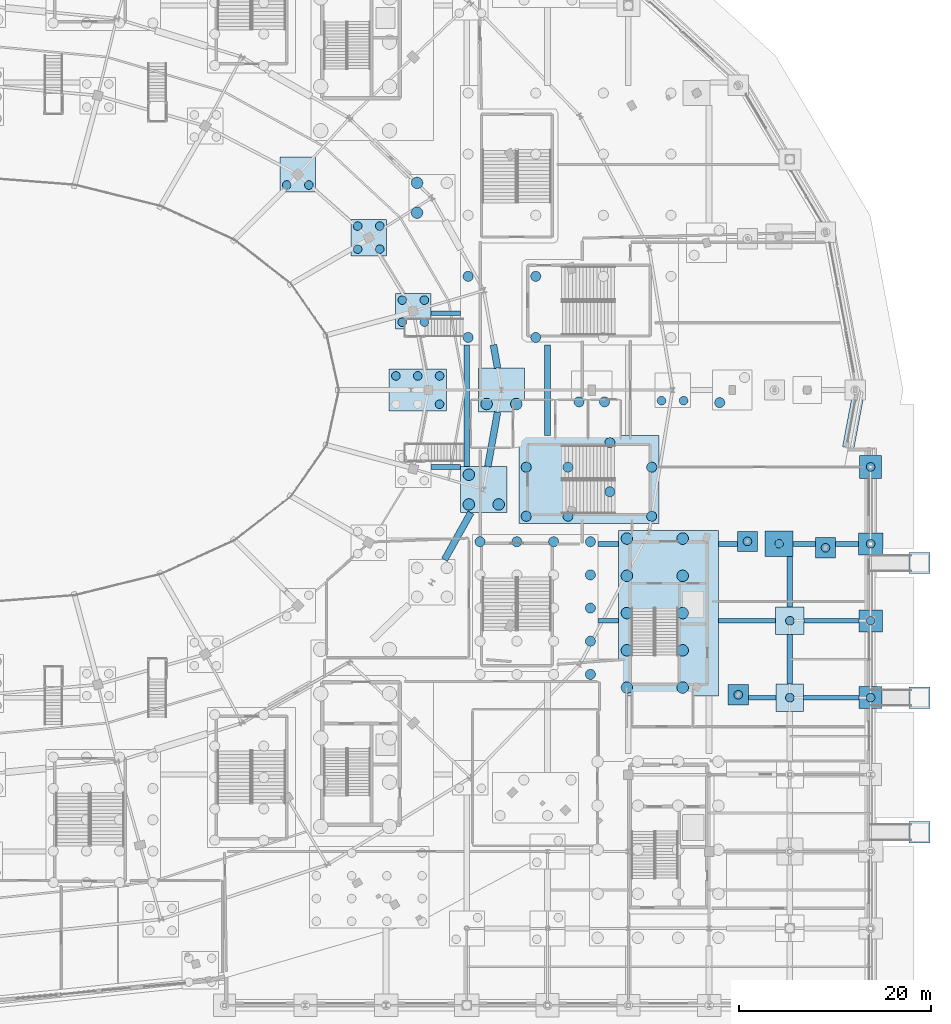
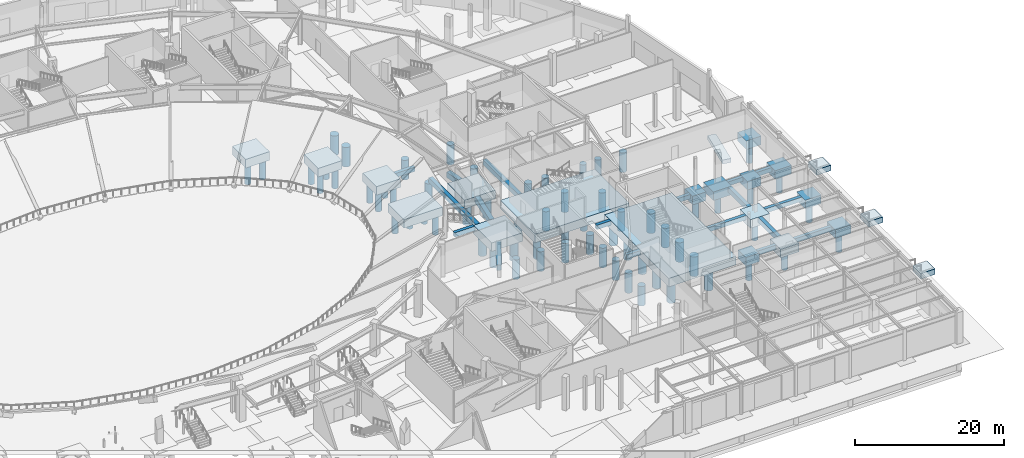
# One storey, part 7 of 93: 66 piles, 40 footings.
"""IFC4 building model written with IfcOpenShell, lengths in metres."""

from ifc_helpers import new_model, si_unit, direction, frame, origin, origin_2d, place, context, subcontext, project, spatial, polyline, rectangle, circle, outline, extrude, material, material_profile, profile_set, type_object, element, save


model = new_model("IFC4")

# Units and contexts
model_context = context("Model", 3, precision=1e-05, world=origin(), true_north=direction((0.0, 1.0)))
body_context = subcontext(model_context, "Body", "Model", "MODEL_VIEW")
ifc_project = project(units=[si_unit("LENGTHUNIT", "METRE"), si_unit("AREAUNIT", "SQUARE_METRE"), si_unit("VOLUMEUNIT", "CUBIC_METRE"), si_unit("PLANEANGLEUNIT", "RADIAN"), si_unit("MASSUNIT", "GRAM", prefix="KILO")], contexts=[model_context])

# Site, building, storey
site_placement = place(None, origin())
site = spatial("IfcSite", under=ifc_project, at=site_placement, CompositionType="ELEMENT")
building_placement = place(site_placement, origin())
building = spatial("IfcBuilding", under=site, at=building_placement, Name="Kalgoora Escarpment Arena", CompositionType="ELEMENT")
storey_placement = place(building_placement, origin())
storey = spatial("IfcBuildingStorey", under=building, at=storey_placement, Name="L00", CompositionType="ELEMENT", Elevation=0.0)

# Footings
ifc_material_1 = material(Name="Concrete N40 (fc' 40 MPa)", Category="concrete")
ifc_material_profile_1 = material_profile(ifc_material_1, rectangle(XDim=0.5, YDim=0.699951171875, at=origin_2d()))
ifc_profile_set_1 = profile_set([ifc_material_profile_1], Name="Concrete N40 (fc' 40 MPa)")
footing_type_1 = type_object("IfcFootingType", Name="FTG-GB700x500", PredefinedType="FOOTING_BEAM", material=ifc_profile_set_1)
footing_1_placement = place(storey_placement, frame((172.090087890625, 32.0, -0.35009765625), z_axis=(1.0, 0.0, 0.0), x_axis=(0.0, 1.0, 0.0)))
element("IfcFooting", 1, at=footing_1_placement, inside=storey, type_object=footing_type_1, Name="Ground tie beam GB-088", PredefinedType="FOOTING_BEAM", context=body_context, shape_type="SweptSolid", body=[
    extrude(rectangle(XDim=0.5, YDim=0.699951171875, at=origin_2d()), origin(), (0.0, 0.0, 1.0), 2.869873046875),
])
footing_2_placement = place(storey_placement, frame((177.840087890625, 32.0, -0.35009765625), z_axis=(1.0, 0.0, 0.0), x_axis=(0.0, 1.0, 0.0)))
element("IfcFooting", 2, at=footing_2_placement, inside=storey, type_object=footing_type_1, Name="Ground tie beam GB-089", PredefinedType="FOOTING_BEAM", context=body_context, shape_type="SweptSolid", body=[
    extrude(rectangle(XDim=0.5, YDim=0.699951171875, at=origin_2d()), origin(), (0.0, 0.0, 1.0), 5.77001953125),
])
footing_3_placement = place(storey_placement, frame((156.429931640625, 40.0, -0.35009765625), z_axis=(1.0, 0.0, 0.0), x_axis=(0.0, 1.0, 0.0)))
element("IfcFooting", 3, at=footing_3_placement, inside=storey, type_object=footing_type_1, Name="Ground tie beam GB-091", PredefinedType="FOOTING_BEAM", context=body_context, shape_type="SweptSolid", body=[
    extrude(rectangle(XDim=0.5, YDim=0.699951171875, at=origin_2d()), origin(), (0.0, 0.0, 1.0), 2.170166015625),
])
footing_4_placement = place(storey_placement, frame((169.0, 40.0, -0.35009765625), z_axis=(1.0, 0.0, 0.0), x_axis=(0.0, 1.0, 0.0)))
element("IfcFooting", 4, at=footing_4_placement, inside=storey, type_object=footing_type_1, Name="Ground tie beam GB-092", PredefinedType="FOOTING_BEAM", context=body_context, shape_type="SweptSolid", body=[
    extrude(rectangle(XDim=0.5, YDim=0.699951171875, at=origin_2d()), origin(), (0.0, 0.0, 1.0), 5.919921875),
])
footing_5_placement = place(storey_placement, frame((177.8798828125, 40.0, -0.35009765625), z_axis=(1.0, 0.0, 0.0), x_axis=(0.0, 1.0, 0.0)))
element("IfcFooting", 5, at=footing_5_placement, inside=storey, type_object=footing_type_1, Name="Ground tie beam GB-093", PredefinedType="FOOTING_BEAM", context=body_context, shape_type="SweptSolid", body=[
    extrude(rectangle(XDim=0.5, YDim=0.699951171875, at=origin_2d()), origin(), (0.0, 0.0, 1.0), 5.690185546875),
])
footing_6_placement = place(storey_placement, frame((156.429931640625, 48.0, -0.35009765625), z_axis=(1.0, 0.0, 0.0), x_axis=(0.0, 1.0, 0.0)))
element("IfcFooting", 6, at=footing_6_placement, inside=storey, type_object=footing_type_1, Name="Ground tie beam GB-095", PredefinedType="FOOTING_BEAM", context=body_context, shape_type="SweptSolid", body=[
    extrude(rectangle(XDim=0.5, YDim=0.699951171875, at=origin_2d()), origin(), (0.0, 0.0, 1.0), 2.170166015625),
])
footing_7_placement = place(storey_placement, frame((169.0, 48.0, -0.35009765625), z_axis=(1.0, 0.0, 0.0), x_axis=(0.0, 1.0, 0.0)))
element("IfcFooting", 7, at=footing_7_placement, inside=storey, type_object=footing_type_1, Name="Ground tie beam GB-096", PredefinedType="FOOTING_BEAM", context=body_context, shape_type="SweptSolid", body=[
    extrude(rectangle(XDim=0.5, YDim=0.699951171875, at=origin_2d()), origin(), (0.0, 0.0, 1.0), 1.93994140625),
])
footing_8_placement = place(storey_placement, frame((176.719970703125, 48.0, -0.35009765625), z_axis=(1.0, 0.0, 0.0), x_axis=(0.0, 1.0, 0.0)))
element("IfcFooting", 8, at=footing_8_placement, inside=storey, type_object=footing_type_1, Name="Ground tie beam GB-097", PredefinedType="FOOTING_BEAM", context=body_context, shape_type="SweptSolid", body=[
    extrude(rectangle(XDim=0.5, YDim=0.699951171875, at=origin_2d()), origin(), (0.0, 0.0, 1.0), 2.340087890625),
])
footing_9_placement = place(storey_placement, frame((181.159912109375, 48.0, -0.35009765625), z_axis=(1.0, 0.0, 0.0), x_axis=(0.0, 1.0, 0.0)))
element("IfcFooting", 9, at=footing_9_placement, inside=storey, type_object=footing_type_1, Name="Ground tie beam GB-098", PredefinedType="FOOTING_BEAM", context=body_context, shape_type="SweptSolid", body=[
    extrude(rectangle(XDim=0.5, YDim=0.699951171875, at=origin_2d()), origin(), (0.0, 0.0, 1.0), 2.3701171875),
])
for number, where, z_axis, x_axis, name in (
    (10, (139.080078125, 56.0, -0.35009765625), (1.0, 0.0, 0.0), (0.0, 1.0, 0.0), "Ground tie beam GB-101"),
    (11, (139.080078125, 72.0, -0.35009765625), (1.0, 0.0, 0.0), (0.0, 1.0, 0.0), "Ground tie beam GB-106"),
):
    element("IfcFooting", number, at=place(storey_placement, frame(where, z_axis=z_axis, x_axis=x_axis)), inside=storey, type_object=footing_type_1, Name=name, PredefinedType="FOOTING_BEAM", context=body_context, shape_type="SweptSolid", body=[
        extrude(rectangle(XDim=0.5, YDim=0.699951171875, at=origin_2d()), origin(), (0.0, 0.0, 1.0), 3.079833984375),
    ])
ifc_material_2 = material(Name="Concrete N40 (fc' 40 MPa)", Category="concrete")
ifc_material_profile_2 = material_profile(ifc_material_2, rectangle(XDim=0.60009765625, YDim=0.800048828125, at=origin_2d()))
ifc_profile_set_2 = profile_set([ifc_material_profile_2], Name="Concrete N40 (fc' 40 MPa)")
footing_type_2 = type_object("IfcFootingType", Name="FTG-GB800x600", PredefinedType="FOOTING_BEAM", material=ifc_profile_set_2)
footing_10_placement = place(storey_placement, frame((142.800048828125, 56.050048828125, -0.39990234375), z_axis=(0.0, 1.0, 0.0), x_axis=(-1.0, 0.0, 0.0)))
element("IfcFooting", 12, at=footing_10_placement, inside=storey, type_object=footing_type_2, Name="Ground tie beam GB-047", PredefinedType="FOOTING_BEAM", context=body_context, shape_type="SweptSolid", body=[
    extrude(rectangle(XDim=0.60009765625, YDim=0.800048828125, at=origin_2d()), origin(), (0.0, 0.0, 1.0), 12.64990234375),
])
footing_11_placement = place(storey_placement, frame((151.199951171875, 59.300048828125, -0.39990234375), z_axis=(0.0, 1.0, 0.0), x_axis=(-1.0, 0.0, 0.0)))
element("IfcFooting", 13, at=footing_11_placement, inside=storey, type_object=footing_type_2, Name="Ground tie beam GB-052", PredefinedType="FOOTING_BEAM", context=body_context, shape_type="SweptSolid", body=[
    extrude(rectangle(XDim=0.60009765625, YDim=0.800048828125, at=origin_2d()), origin(), (0.0, 0.0, 1.0), 9.39990234375),
])
footing_12_placement = place(storey_placement, frame((176.39990234375, 33.409912109375, -0.39990234375), z_axis=(0.0, 1.0, 0.0), x_axis=(-1.0, 0.0, 0.0)))
element("IfcFooting", 14, at=footing_12_placement, inside=storey, type_object=footing_type_2, Name="Ground tie beam GB-066", PredefinedType="FOOTING_BEAM", context=body_context, shape_type="SweptSolid", body=[
    extrude(rectangle(XDim=0.60009765625, YDim=0.800048828125, at=origin_2d()), origin(), (0.0, 0.0, 1.0), 5.18017578125),
])
footing_13_placement = place(storey_placement, frame((176.39990234375, 41.409912109375, -0.39990234375), z_axis=(0.0, 1.0, 0.0), x_axis=(-1.0, 0.0, 0.0)))
element("IfcFooting", 15, at=footing_13_placement, inside=storey, type_object=footing_type_2, Name="Ground tie beam GB-067", PredefinedType="FOOTING_BEAM", context=body_context, shape_type="SweptSolid", body=[
    extrude(rectangle(XDim=0.60009765625, YDim=0.800048828125, at=origin_2d()), origin(), (0.0, 0.0, 1.0), 5.27001953125),
])
ifc_material_3 = material(Name="Concrete N40 (fc' 40 MPa)", Category="concrete")
ifc_material_profile_3 = material_profile(ifc_material_3, rectangle(XDim=0.699951171875, YDim=0.89990234375, at=origin_2d()))
ifc_profile_set_3 = profile_set([ifc_material_profile_3], Name="Concrete N40 (fc' 40 MPa)")
footing_type_3 = type_object("IfcFootingType", Name="FTG-GB900x700", PredefinedType="FOOTING_BEAM", material=ifc_profile_set_3)
footing_14_placement = place(storey_placement, frame((145.9912109375, 66.300048828125, -0.449951171875), z_axis=(-0.174979394809, 0.984572095579, 0.0), x_axis=(-0.984572095579, -0.174979394809, 0.0)))
element("IfcFooting", 16, at=footing_14_placement, inside=storey, type_object=footing_type_3, Name="Ground tie beam GB-001", PredefinedType="FOOTING_BEAM", context=body_context, shape_type="SweptSolid", body=[
    extrude(rectangle(XDim=0.699951171875, YDim=0.89990234375, at=origin_2d()), origin(), (0.0, 0.0, 1.0), 2.4375),
])
footing_15_placement = place(storey_placement, frame((140.4794921875, 46.35009765625, -0.449951171875), z_axis=(0.488066958691, 0.872806189159, 0.0), x_axis=(-0.872806189159, 0.488066958691, 0.0)))
element("IfcFooting", 17, at=footing_15_placement, inside=storey, type_object=footing_type_3, Name="Ground tie beam GB-021", PredefinedType="FOOTING_BEAM", context=body_context, shape_type="SweptSolid", body=[
    extrude(rectangle(XDim=0.699951171875, YDim=0.89990234375, at=origin_2d()), origin(), (0.0, 0.0, 1.0), 5.614013671875),
])
footing_16_placement = place(storey_placement, frame((144.987060546875, 56.050048828125, -0.449951171875), z_axis=(0.174986594347, 0.984570816041, 0.0), x_axis=(-0.984570816041, 0.174986594347, 0.0)))
element("IfcFooting", 18, at=footing_16_placement, inside=storey, type_object=footing_type_3, Name="Ground tie beam GB-022", PredefinedType="FOOTING_BEAM", context=body_context, shape_type="SweptSolid", body=[
    extrude(rectangle(XDim=0.699951171875, YDim=0.89990234375, at=origin_2d()), origin(), (0.0, 0.0, 1.0), 5.738525390625),
])
ifc_material_4 = material(Name="Concrete N40 (fc' 40 MPa)", Category="concrete")
footing_type_4 = type_object("IfcFootingType", Name="FTG-PC-1040x1720", PredefinedType="PILE_CAP", material=ifc_material_4)
footing_17_placement = place(storey_placement, frame((163.800048828125, 40.800048828125, -1.39990234375), z_axis=(0.0, 0.0, 1.0), x_axis=(1.0, 0.0, 0.0)))
element("IfcFooting", 19, at=footing_17_placement, inside=storey, type_object=footing_type_4, Name="Pile cap FND-RAFT-C7", PredefinedType="PILE_CAP", context=body_context, shape_type="SweptSolid", body=[
    extrude(rectangle(XDim=10.39990234375, YDim=17.199951171875, at=origin_2d()), origin(), (0.0, 0.0, 1.0), 1.39990234375),
])
ifc_material_5 = material(Name="Concrete N40 (fc' 40 MPa)", Category="concrete")
footing_type_5 = type_object("IfcFootingType", Name="FTG-PC-1460x920", PredefinedType="PILE_CAP", material=ifc_material_5)
footing_18_placement = place(storey_placement, frame((155.5, 54.699951171875, -1.39990234375), z_axis=(0.0, 0.0, 1.0), x_axis=(1.0, 0.0, 0.0)))
element("IfcFooting", 20, at=footing_18_placement, inside=storey, type_object=footing_type_5, Name="Pile cap FND-ST-ST22", PredefinedType="PILE_CAP", context=body_context, shape_type="SweptSolid", body=[
    extrude(rectangle(XDim=14.60009765625, YDim=9.199951171875, at=origin_2d()), origin(), (0.0, 0.0, 1.0), 1.39990234375),
])
ifc_material_6 = material(Name="Concrete N40 (fc' 40 MPa)", Category="concrete")
footing_type_6 = type_object("IfcFootingType", Name="FTG-PC-210x210", PredefinedType="PILE_CAP", material=ifc_material_6)
for number, where, z_axis, x_axis, name in (
    (21, (180.110107421875, 47.590087890625, -1.39990234375), (0.0, 0.0, 1.0), (1.0, 0.0, 0.0), "Pile cap FND-PIL-045"),
    (22, (171.989990234375, 48.260009765625, -1.39990234375), (0.0, 0.0, 1.0), (1.0, 0.0, 0.0), "Pile cap FND-PIL-069"),
):
    element("IfcFooting", number, at=place(storey_placement, frame(where, z_axis=z_axis, x_axis=x_axis)), inside=storey, type_object=footing_type_6, Name=name, PredefinedType="PILE_CAP", context=body_context, shape_type="SweptSolid", body=[
        extrude(rectangle(XDim=2.10009765625, YDim=2.10009765625, at=origin_2d()), origin(), (0.0, 0.0, 1.0), 1.39990234375),
    ])
ifc_material_7 = material(Name="Concrete N40 (fc' 40 MPa)", Category="concrete")
footing_type_7 = type_object("IfcFootingType", Name="FTG-PC-211x210", PredefinedType="PILE_CAP", material=ifc_material_7)
footing_19_placement = place(storey_placement, frame((171.034912109375, 32.300048828125, -1.39990234375), z_axis=(0.0, 0.0, 1.0), x_axis=(1.0, 0.0, 0.0)))
element("IfcFooting", 23, at=footing_19_placement, inside=storey, type_object=footing_type_7, Name="Pile cap FND-PIL-044", PredefinedType="PILE_CAP", context=body_context, shape_type="SweptSolid", body=[
    extrude(rectangle(XDim=2.110107421875, YDim=2.10009765625, at=origin_2d()), origin(), (0.0, 0.0, 1.0), 1.39990234375),
])
ifc_material_8 = material(Name="Concrete N40 (fc' 40 MPa)", Category="concrete")
footing_type_8 = type_object("IfcFootingType", Name="FTG-PC-230x236", PredefinedType="PILE_CAP", material=ifc_material_8)
footing_20_placement = place(storey_placement, frame((184.800048828125, 56.0, -1.39990234375), z_axis=(0.0, 0.0, 1.0), x_axis=(1.0, 0.0, 0.0)))
element("IfcFooting", 24, at=footing_20_placement, inside=storey, type_object=footing_type_8, Name="Pile cap FND-COL-G23-H", PredefinedType="PILE_CAP", context=body_context, shape_type="SweptSolid", body=[
    extrude(rectangle(XDim=2.300048828125, YDim=2.360107421875, at=origin_2d()), origin(), (0.0, 0.0, 1.0), 1.39990234375),
])
ifc_material_9 = material(Name="Concrete N40 (fc' 40 MPa)", Category="concrete")
footing_type_9 = type_object("IfcFootingType", Name="FTG-PC-238x228", PredefinedType="PILE_CAP", material=ifc_material_9)
footing_21_placement = place(storey_placement, frame((184.800048828125, 32.0, -1.39990234375), z_axis=(0.0, 0.0, 1.0), x_axis=(1.0, 0.0, 0.0)))
element("IfcFooting", 25, at=footing_21_placement, inside=storey, type_object=footing_type_9, Name="Pile cap FND-COL-G23-E", PredefinedType="PILE_CAP", context=body_context, shape_type="SweptSolid", body=[
    extrude(rectangle(XDim=2.3798828125, YDim=2.280029296875, at=origin_2d()), origin(), (0.0, 0.0, 1.0), 1.39990234375),
])
ifc_material_10 = material(Name="Concrete N40 (fc' 40 MPa)", Category="concrete")
footing_type_10 = type_object("IfcFootingType", Name="FTG-PC-246x228", PredefinedType="PILE_CAP", material=ifc_material_10)
footing_22_placement = place(storey_placement, frame((184.800048828125, 40.0, -1.39990234375), z_axis=(0.0, 0.0, 1.0), x_axis=(1.0, 0.0, 0.0)))
element("IfcFooting", 26, at=footing_22_placement, inside=storey, type_object=footing_type_10, Name="Pile cap FND-COL-G23-F", PredefinedType="PILE_CAP", context=body_context, shape_type="SweptSolid", body=[
    extrude(rectangle(XDim=2.4599609375, YDim=2.280029296875, at=origin_2d()), origin(), (0.0, 0.0, 1.0), 1.39990234375),
])
ifc_material_11 = material(Name="Concrete N40 (fc' 40 MPa)", Category="concrete")
footing_type_11 = type_object("IfcFootingType", Name="FTG-PC-254x228", PredefinedType="PILE_CAP", material=ifc_material_11)
footing_23_placement = place(storey_placement, frame((184.800048828125, 48.0, -1.39990234375), z_axis=(0.0, 0.0, 1.0), x_axis=(1.0, 0.0, 0.0)))
element("IfcFooting", 27, at=footing_23_placement, inside=storey, type_object=footing_type_11, Name="Pile cap FND-COL-G23-G", PredefinedType="PILE_CAP", context=body_context, shape_type="SweptSolid", body=[
    extrude(rectangle(XDim=2.5400390625, YDim=2.280029296875, at=origin_2d()), origin(), (0.0, 0.0, 1.0), 1.39990234375),
])
ifc_material_12 = material(Name="Concrete N40 (fc' 40 MPa)", Category="concrete")
footing_type_12 = type_object("IfcFootingType", Name="FTG-PC-288x266", PredefinedType="PILE_CAP", material=ifc_material_12)
footing_24_placement = place(storey_placement, frame((175.280029296875, 48.010009765625, -1.39990234375), z_axis=(0.0, 0.0, 1.0), x_axis=(1.0, 0.0, 0.0)))
element("IfcFooting", 28, at=footing_24_placement, inside=storey, type_object=footing_type_12, Name="Pile cap FND-COL-RBASE2-R24", PredefinedType="PILE_CAP", context=body_context, shape_type="SweptSolid", body=[
    extrude(rectangle(XDim=2.8798828125, YDim=2.659912109375, at=origin_2d()), origin(), (0.0, 0.0, 1.0), 1.39990234375),
])
ifc_material_13 = material(Name="Concrete N40 (fc' 40 MPa)", Category="concrete")
footing_type_13 = type_object("IfcFootingType", Name="FTG-PC-288x282", PredefinedType="PILE_CAP", material=ifc_material_13)
footing_25_placement = place(storey_placement, frame((176.39990234375, 32.0, -1.39990234375), z_axis=(0.0, 0.0, 1.0), x_axis=(1.0, 0.0, 0.0)))
element("IfcFooting", 29, at=footing_25_placement, inside=storey, type_object=footing_type_13, Name="Pile cap FND-COL-G22-E", PredefinedType="PILE_CAP", context=body_context, shape_type="SweptSolid", body=[
    extrude(rectangle(XDim=2.8798828125, YDim=2.820068359375, at=origin_2d()), origin(), (0.0, 0.0, 1.0), 1.39990234375),
])
ifc_material_14 = material(Name="Concrete N40 (fc' 40 MPa)", Category="concrete")
footing_type_14 = type_object("IfcFootingType", Name="FTG-PC-296x282", PredefinedType="PILE_CAP", material=ifc_material_14)
footing_26_placement = place(storey_placement, frame((176.39990234375, 40.0, -1.39990234375), z_axis=(0.0, 0.0, 1.0), x_axis=(1.0, 0.0, 0.0)))
element("IfcFooting", 30, at=footing_26_placement, inside=storey, type_object=footing_type_14, Name="Pile cap FND-COL-G22-F", PredefinedType="PILE_CAP", context=body_context, shape_type="SweptSolid", body=[
    extrude(rectangle(XDim=2.9599609375, YDim=2.820068359375, at=origin_2d()), origin(), (0.0, 0.0, 1.0), 1.39990234375),
])
ifc_material_15 = material(Name="Concrete N40 (fc' 40 MPa)", Category="concrete")
footing_type_15 = type_object("IfcFootingType", Name="FTG-PC-370x360", PredefinedType="PILE_CAP", material=ifc_material_15)
footing_27_placement = place(storey_placement, frame((125.219970703125, 86.429931640625, -1.39990234375), z_axis=(0.0, 0.0, 1.0), x_axis=(1.0, 0.0, 0.0)))
element("IfcFooting", 31, at=footing_27_placement, inside=storey, type_object=footing_type_15, Name="Pile cap FND-COL-RMID-R04", PredefinedType="PILE_CAP", context=body_context, shape_type="SweptSolid", body=[
    extrude(rectangle(XDim=3.699951171875, YDim=3.60009765625, at=origin_2d()), origin(), (0.0, 0.0, 1.0), 1.39990234375),
])
ifc_material_16 = material(Name="Concrete N40 (fc' 40 MPa)", Category="concrete")
footing_type_16 = type_object("IfcFootingType", Name="FTG-PC-370x370", PredefinedType="PILE_CAP", material=ifc_material_16)
footing_28_placement = place(storey_placement, frame((137.22998046875, 72.2099609375, -1.39990234375), z_axis=(0.0, 0.0, 1.0), x_axis=(1.0, 0.0, 0.0)))
element("IfcFooting", 32, at=footing_28_placement, inside=storey, type_object=footing_type_16, Name="Pile cap FND-COL-RMID-R02", PredefinedType="PILE_CAP", context=body_context, shape_type="SweptSolid", body=[
    extrude(rectangle(XDim=3.699951171875, YDim=3.699951171875, at=origin_2d()), origin(), (0.0, 0.0, 1.0), 1.39990234375),
])
ifc_material_17 = material(Name="Concrete N40 (fc' 40 MPa)", Category="concrete")
footing_type_17 = type_object("IfcFootingType", Name="FTG-PC-370x380", PredefinedType="PILE_CAP", material=ifc_material_17)
footing_29_placement = place(storey_placement, frame((132.590087890625, 79.860107421875, -1.39990234375), z_axis=(0.0, 0.0, 1.0), x_axis=(1.0, 0.0, 0.0)))
element("IfcFooting", 33, at=footing_29_placement, inside=storey, type_object=footing_type_17, Name="Pile cap FND-COL-RMID-R03", PredefinedType="PILE_CAP", context=body_context, shape_type="SweptSolid", body=[
    extrude(rectangle(XDim=3.699951171875, YDim=3.800048828125, at=origin_2d()), origin(), (0.0, 0.0, 1.0), 1.39990234375),
])
ifc_material_18 = material(Name="Concrete N40 (fc' 40 MPa)", Category="concrete")
footing_type_18 = type_object("IfcFootingType", Name="FTG-PC-480x460", PredefinedType="PILE_CAP", material=ifc_material_18)
footing_30_placement = place(storey_placement, frame((146.39990234375, 64.0, -1.39990234375), z_axis=(0.0, 0.0, 1.0), x_axis=(1.0, 0.0, 0.0)))
element("IfcFooting", 34, at=footing_30_placement, inside=storey, type_object=footing_type_18, Name="Pile cap FND-COL-RMAIN-R01", PredefinedType="PILE_CAP", context=body_context, shape_type="SweptSolid", body=[
    extrude(rectangle(XDim=4.800048828125, YDim=4.60009765625, at=origin_2d()), origin(), (0.0, 0.0, 1.0), 1.39990234375),
])
ifc_material_19 = material(Name="Concrete N40 (fc' 40 MPa)", Category="concrete")
footing_type_19 = type_object("IfcFootingType", Name="FTG-PC-480x480", PredefinedType="PILE_CAP", material=ifc_material_19)
footing_31_placement = place(storey_placement, frame((144.56005859375, 53.64990234375, -1.39990234375), z_axis=(0.0, 0.0, 1.0), x_axis=(1.0, 0.0, 0.0)))
element("IfcFooting", 35, at=footing_31_placement, inside=storey, type_object=footing_type_19, Name="Pile cap FND-COL-RMAIN-R24", PredefinedType="PILE_CAP", context=body_context, shape_type="SweptSolid", body=[
    extrude(rectangle(XDim=4.800048828125, YDim=4.800048828125, at=origin_2d()), origin(), (0.0, 0.0, 1.0), 1.39990234375),
])
ifc_material_20 = material(Name="Concrete N40 (fc' 40 MPa)", Category="concrete")
footing_type_20 = type_object("IfcFootingType", Name="FTG-PC-594x434", PredefinedType="PILE_CAP", material=ifc_material_20)
footing_32_placement = place(storey_placement, frame((137.68994140625, 64.0, -1.39990234375), z_axis=(0.0, 0.0, 1.0), x_axis=(1.0, 0.0, 0.0)))
element("IfcFooting", 36, at=footing_32_placement, inside=storey, type_object=footing_type_20, Name="Pile cap FND-COL-RMID-R01", PredefinedType="PILE_CAP", context=body_context, shape_type="SweptSolid", body=[
    extrude(rectangle(XDim=5.93994140625, YDim=4.340087890625, at=origin_2d()), origin(), (0.0, 0.0, 1.0), 1.39990234375),
])
ifc_material_21 = material(Name="Concrete N40 (fc' 40 MPa)", Category="concrete")
footing_type_21 = type_object("IfcFootingType", Name="FTG-RAMP-PAD", PredefinedType="PAD_FOOTING", material=ifc_material_21)
for number, where, z_axis, x_axis, name in (
    (37, (189.89990234375, 18.0, -1.39990234375), (0.0, 0.0, 1.0), (1.0, 0.0, 0.0), "Accessible ramp RMP-04 landing pad footing"),
    (38, (189.89990234375, 32.0, -1.39990234375), (0.0, 0.0, 1.0), (1.0, 0.0, 0.0), "Accessible ramp RMP-05 landing pad footing"),
    (39, (189.89990234375, 46.0, -1.39990234375), (0.0, 0.0, 1.0), (1.0, 0.0, 0.0), "Accessible ramp RMP-06 landing pad footing"),
):
    element("IfcFooting", number, at=place(storey_placement, frame(where, z_axis=z_axis, x_axis=x_axis)), inside=storey, type_object=footing_type_21, Name=name, PredefinedType="PAD_FOOTING", context=body_context, shape_type="SweptSolid", body=[
        extrude(rectangle(XDim=2.199951171875, YDim=2.199951171875, at=origin_2d()), origin(), (0.0, 0.0, 1.0), 0.89990234375),
    ])
ifc_material_22 = material(Name="Concrete N40 (fc' 40 MPa)", Category="concrete")
footing_type_22 = type_object("IfcFootingType", Name="FTG-STRIP-1200", PredefinedType="STRIP_FOOTING", material=ifc_material_22)
footing_33_placement = place(storey_placement, frame((0.0, 0.0, -5.14990234375)))
element("IfcFooting", 40, at=footing_33_placement, inside=storey, type_object=footing_type_22, Name="Escarpment retaining strip footing SF-21", PredefinedType="STRIP_FOOTING", context=body_context, shape_type="SweptSolid", body=[
    extrude(outline(polyline([(183.010498046875, 64.111083984375), (181.881103515625, 58.111083984375), (183.060302734375, 57.888916015625), (184.189697265625, 63.888916015625), (183.010498046875, 64.111083984375)])), origin(), (0.0, 0.0, 1.0), 0.64990234375),
])

# Piles
ifc_material_23 = material(Name="Concrete N50 (fc' 50 MPa)", Category="concrete")
ifc_material_profile_4 = material_profile(ifc_material_23, circle(Radius=0.52490234375, at=origin_2d()))
ifc_profile_set_4 = profile_set([ifc_material_profile_4], Name="Concrete N50 (fc' 50 MPa)")
pile_type_1 = type_object("IfcPileType", Name="PIL-PILE-1050", PredefinedType="BORED", material=ifc_profile_set_4)
for number, where, z_axis, x_axis, name in (
    (41, (142.93505859375, 69.47509765625, -1.300048828125), (0.0, 0.0, -1.0), (1.0, 0.0, 0.0), "Bored pile FND-ST-ST21 P01"),
    (42, (142.93505859375, 75.830078125, -1.300048828125), (0.0, 0.0, -1.0), (1.0, 0.0, 0.0), "Bored pile FND-ST-ST21 P02"),
    (43, (149.96826171875, 69.47509765625, -1.300048828125), (0.0, 0.0, -1.0), (1.0, 0.0, 0.0), "Bored pile FND-ST-ST21 P06"),
    (44, (149.96826171875, 75.830078125, -1.300048828125), (0.0, 0.0, -1.0), (1.0, 0.0, 0.0), "Bored pile FND-ST-ST21 P07"),
    (45, (148.97509765625, 50.875, -1.300048828125), (0.0, 0.0, -1.0), (1.0, 0.0, 0.0), "Bored pile FND-ST-ST22 P01"),
    (46, (148.97509765625, 55.97509765625, -1.300048828125), (0.0, 0.0, -1.0), (1.0, 0.0, 0.0), "Bored pile FND-ST-ST22 P02"),
    (47, (153.324951171875, 50.875, -1.300048828125), (0.0, 0.0, -1.0), (1.0, 0.0, 0.0), "Bored pile FND-ST-ST22 P03"),
    (48, (153.324951171875, 55.97509765625, -1.300048828125), (0.0, 0.0, -1.0), (1.0, 0.0, 0.0), "Bored pile FND-ST-ST22 P04"),
    (49, (157.675048828125, 53.425048828125, -1.300048828125), (0.0, 0.0, -1.0), (1.0, 0.0, 0.0), "Bored pile FND-ST-ST22 P05"),
    (50, (157.675048828125, 58.52490234375, -1.300048828125), (0.0, 0.0, -1.0), (1.0, 0.0, 0.0), "Bored pile FND-ST-ST22 P06"),
    (51, (162.02490234375, 50.875, -1.300048828125), (0.0, 0.0, -1.0), (1.0, 0.0, 0.0), "Bored pile FND-ST-ST22 P07"),
    (52, (162.02490234375, 55.97509765625, -1.300048828125), (0.0, 0.0, -1.0), (1.0, 0.0, 0.0), "Bored pile FND-ST-ST22 P08"),
    (53, (144.175048828125, 48.22509765625, -1.300048828125), (0.0, 0.0, -1.0), (1.0, 0.0, 0.0), "Bored pile FND-ST-ST24 P05"),
    (54, (148.001708984375, 48.22509765625, -1.300048828125), (0.0, 0.0, -1.0), (1.0, 0.0, 0.0), "Bored pile FND-ST-ST24 P10"),
    (55, (151.828369140625, 48.22509765625, -1.300048828125), (0.0, 0.0, -1.0), (1.0, 0.0, 0.0), "Bored pile FND-ST-ST24 P15"),
    (56, (155.655029296875, 34.425048828125, -1.300048828125), (0.0, 0.0, -1.0), (1.0, 0.0, 0.0), "Bored pile FND-ST-ST24 P16"),
    (57, (155.655029296875, 37.875, -1.300048828125), (0.0, 0.0, -1.0), (1.0, 0.0, 0.0), "Bored pile FND-ST-ST24 P17"),
    (58, (155.655029296875, 41.324951171875, -1.300048828125), (0.0, 0.0, -1.0), (1.0, 0.0, 0.0), "Bored pile FND-ST-ST24 P18"),
    (59, (155.655029296875, 44.77490234375, -1.300048828125), (0.0, 0.0, -1.0), (1.0, 0.0, 0.0), "Bored pile FND-ST-ST24 P19"),
    (60, (155.655029296875, 48.22509765625, -1.300048828125), (0.0, 0.0, -1.0), (1.0, 0.0, 0.0), "Bored pile FND-ST-ST24 P20"),
    (61, (154.47509765625, 62.77490234375, -1.300048828125), (0.0, 0.0, -1.0), (1.0, 0.0, 0.0), "Bored pile FND-COL-RCONC1-R01 P01"),
    (62, (157.125, 62.77490234375, -1.300048828125), (0.0, 0.0, -1.0), (1.0, 0.0, 0.0), "Bored pile FND-COL-RCONC1-R01 P02"),
    (63, (169.10498046875, 62.695068359375, -1.300048828125), (0.0, 0.0, -1.0), (1.0, 0.0, 0.0), "Bored pile FND-COL-RBASE1-R01 P01"),
):
    element("IfcPile", number, at=place(storey_placement, frame(where, z_axis=z_axis, x_axis=x_axis)), inside=storey, type_object=pile_type_1, Name=name, PredefinedType="BORED", context=body_context, shape_type="SweptSolid", body=[
        extrude(circle(Radius=0.52490234375, at=origin_2d()), origin(), (0.0, 0.0, 1.0), 3.199951171875),
    ])
ifc_material_24 = material(Name="Concrete N50 (fc' 50 MPa)", Category="concrete")
ifc_material_profile_5 = material_profile(ifc_material_24, circle(Radius=0.60009765625, at=origin_2d()))
ifc_profile_set_5 = profile_set([ifc_material_profile_5], Name="Concrete N50 (fc' 50 MPa)")
pile_type_2 = type_object("IfcPileType", Name="PIL-PILE-1200", PredefinedType="BORED", material=ifc_profile_set_5)
for number, where, z_axis, x_axis, name in (
    (64, (159.449951171875, 33.050048828125, -1.300048828125), (0.0, 0.0, -1.0), (1.0, 0.0, 0.0), "Bored pile FND-RAFT-C7 P01"),
    (65, (159.449951171875, 36.925048828125, -1.300048828125), (0.0, 0.0, -1.0), (1.0, 0.0, 0.0), "Bored pile FND-RAFT-C7 P02"),
    (66, (159.449951171875, 40.800048828125, -1.300048828125), (0.0, 0.0, -1.0), (1.0, 0.0, 0.0), "Bored pile FND-RAFT-C7 P03"),
    (67, (159.449951171875, 44.675048828125, -1.300048828125), (0.0, 0.0, -1.0), (1.0, 0.0, 0.0), "Bored pile FND-RAFT-C7 P04"),
    (68, (159.449951171875, 48.550048828125, -1.300048828125), (0.0, 0.0, -1.0), (1.0, 0.0, 0.0), "Bored pile FND-RAFT-C7 P05"),
    (69, (165.25, 33.050048828125, -1.300048828125), (0.0, 0.0, -1.0), (1.0, 0.0, 0.0), "Bored pile FND-RAFT-C7 P06"),
    (70, (165.25, 36.925048828125, -1.300048828125), (0.0, 0.0, -1.0), (1.0, 0.0, 0.0), "Bored pile FND-RAFT-C7 P07"),
    (71, (165.25, 40.800048828125, -1.300048828125), (0.0, 0.0, -1.0), (1.0, 0.0, 0.0), "Bored pile FND-RAFT-C7 P08"),
    (72, (165.25, 44.675048828125, -1.300048828125), (0.0, 0.0, -1.0), (1.0, 0.0, 0.0), "Bored pile FND-RAFT-C7 P09"),
    (73, (165.25, 48.550048828125, -1.300048828125), (0.0, 0.0, -1.0), (1.0, 0.0, 0.0), "Bored pile FND-RAFT-C7 P10"),
    (74, (144.85009765625, 62.550048828125, -1.300048828125), (0.0, 0.0, -1.0), (1.0, 0.0, 0.0), "Bored pile FND-COL-RMAIN-R01 P01"),
    (75, (147.949951171875, 62.550048828125, -1.300048828125), (0.0, 0.0, -1.0), (1.0, 0.0, 0.0), "Bored pile FND-COL-RMAIN-R01 P02"),
    (76, (137.6201171875, 82.449951171875, -1.300048828125), (0.0, 0.0, -1.0), (1.0, 0.0, 0.0), "Bored pile FND-COL-RMAIN-R03 P01"),
    (77, (137.6201171875, 85.550048828125, -1.300048828125), (0.0, 0.0, -1.0), (1.0, 0.0, 0.0), "Bored pile FND-COL-RMAIN-R03 P02"),
    (78, (143.010009765625, 52.10009765625, -1.300048828125), (0.0, 0.0, -1.0), (1.0, 0.0, 0.0), "Bored pile FND-COL-RMAIN-R24 P01"),
    (79, (143.010009765625, 55.199951171875, -1.300048828125), (0.0, 0.0, -1.0), (1.0, 0.0, 0.0), "Bored pile FND-COL-RMAIN-R24 P02"),
    (80, (146.110107421875, 52.10009765625, -1.300048828125), (0.0, 0.0, -1.0), (1.0, 0.0, 0.0), "Bored pile FND-COL-RMAIN-R24 P03"),
):
    element("IfcPile", number, at=place(storey_placement, frame(where, z_axis=z_axis, x_axis=x_axis)), inside=storey, type_object=pile_type_2, Name=name, PredefinedType="BORED", context=body_context, shape_type="SweptSolid", body=[
        extrude(circle(Radius=0.60009765625, at=origin_2d()), origin(), (0.0, 0.0, 1.0), 3.199951171875),
    ])
ifc_material_25 = material(Name="Concrete N50 (fc' 50 MPa)", Category="concrete")
ifc_material_profile_6 = material_profile(ifc_material_25, circle(Radius=0.449951171875, at=origin_2d()))
ifc_profile_set_6 = profile_set([ifc_material_profile_6], Name="Concrete N50 (fc' 50 MPa)")
pile_type_3 = type_object("IfcPileType", Name="PIL-PILE-900", PredefinedType="BORED", material=ifc_profile_set_6)
for number, where, z_axis, x_axis, name in (
    (81, (135.419921875, 65.469970703125, -1.300048828125), (0.0, 0.0, -1.0), (1.0, 0.0, 0.0), "Bored pile FND-COL-RMID-R01 P02"),
    (82, (137.68994140625, 65.469970703125, -1.300048828125), (0.0, 0.0, -1.0), (1.0, 0.0, 0.0), "Bored pile FND-COL-RMID-R01 P04"),
    (83, (139.9599609375, 62.530029296875, -1.300048828125), (0.0, 0.0, -1.0), (1.0, 0.0, 0.0), "Bored pile FND-COL-RMID-R01 P05"),
    (84, (139.9599609375, 65.469970703125, -1.300048828125), (0.0, 0.0, -1.0), (1.0, 0.0, 0.0), "Bored pile FND-COL-RMID-R01 P06"),
    (85, (136.080078125, 71.06005859375, -1.300048828125), (0.0, 0.0, -1.0), (1.0, 0.0, 0.0), "Bored pile FND-COL-RMID-R02 P01"),
    (86, (136.080078125, 73.360107421875, -1.300048828125), (0.0, 0.0, -1.0), (1.0, 0.0, 0.0), "Bored pile FND-COL-RMID-R02 P02"),
    (87, (138.3798828125, 71.06005859375, -1.300048828125), (0.0, 0.0, -1.0), (1.0, 0.0, 0.0), "Bored pile FND-COL-RMID-R02 P03"),
    (88, (138.3798828125, 73.360107421875, -1.300048828125), (0.0, 0.0, -1.0), (1.0, 0.0, 0.0), "Bored pile FND-COL-RMID-R02 P04"),
    (89, (131.43994140625, 78.659912109375, -1.300048828125), (0.0, 0.0, -1.0), (1.0, 0.0, 0.0), "Bored pile FND-COL-RMID-R03 P01"),
    (90, (131.43994140625, 81.06005859375, -1.300048828125), (0.0, 0.0, -1.0), (1.0, 0.0, 0.0), "Bored pile FND-COL-RMID-R03 P02"),
    (91, (133.739990234375, 78.659912109375, -1.300048828125), (0.0, 0.0, -1.0), (1.0, 0.0, 0.0), "Bored pile FND-COL-RMID-R03 P03"),
    (92, (133.739990234375, 81.06005859375, -1.300048828125), (0.0, 0.0, -1.0), (1.0, 0.0, 0.0), "Bored pile FND-COL-RMID-R03 P04"),
    (93, (124.070068359375, 85.330078125, -1.300048828125), (0.0, 0.0, -1.0), (1.0, 0.0, 0.0), "Bored pile FND-COL-RMID-R04 P01"),
    (94, (126.3701171875, 85.330078125, -1.300048828125), (0.0, 0.0, -1.0), (1.0, 0.0, 0.0), "Bored pile FND-COL-RMID-R04 P02"),
    (95, (163.050048828125, 62.89990234375, -1.300048828125), (0.0, 0.0, -1.0), (1.0, 0.0, 0.0), "Bored pile FND-COL-RCONC2-R01 P01"),
    (96, (165.35009765625, 62.89990234375, -1.300048828125), (0.0, 0.0, -1.0), (1.0, 0.0, 0.0), "Bored pile FND-COL-RCONC2-R01 P02"),
    (97, (175.280029296875, 48.010009765625, -1.300048828125), (0.0, 0.0, -1.0), (1.0, 0.0, 0.0), "Bored pile FND-COL-RBASE2-R24 P01"),
    (98, (176.39990234375, 32.0, -1.300048828125), (0.0, 0.0, -1.0), (1.0, 0.0, 0.0), "Bored pile FND-COL-G22-E P01"),
    (99, (176.39990234375, 40.0, -1.300048828125), (0.0, 0.0, -1.0), (1.0, 0.0, 0.0), "Bored pile FND-COL-G22-F P01"),
    (100, (184.800048828125, 32.0, -1.300048828125), (0.0, 0.0, -1.0), (1.0, 0.0, 0.0), "Bored pile FND-COL-G23-E P01"),
    (101, (184.800048828125, 40.0, -1.300048828125), (0.0, 0.0, -1.0), (1.0, 0.0, 0.0), "Bored pile FND-COL-G23-F P01"),
    (102, (184.800048828125, 48.0, -1.300048828125), (0.0, 0.0, -1.0), (1.0, 0.0, 0.0), "Bored pile FND-COL-G23-G P01"),
    (103, (184.800048828125, 56.0, -1.300048828125), (0.0, 0.0, -1.0), (1.0, 0.0, 0.0), "Bored pile FND-COL-G23-H P01"),
    (104, (171.034912109375, 32.300048828125, -1.300048828125), (0.0, 0.0, -1.0), (1.0, 0.0, 0.0), "Bored pile FND-PIL-044 P01"),
    (105, (180.110107421875, 47.590087890625, -1.300048828125), (0.0, 0.0, -1.0), (1.0, 0.0, 0.0), "Bored pile FND-PIL-045 P01"),
    (106, (171.989990234375, 48.260009765625, -1.300048828125), (0.0, 0.0, -1.0), (1.0, 0.0, 0.0), "Bored pile FND-PIL-069 P01"),
):
    element("IfcPile", number, at=place(storey_placement, frame(where, z_axis=z_axis, x_axis=x_axis)), inside=storey, type_object=pile_type_3, Name=name, PredefinedType="BORED", context=body_context, shape_type="SweptSolid", body=[
        extrude(circle(Radius=0.449951171875, at=origin_2d()), origin(), (0.0, 0.0, 1.0), 3.199951171875),
    ])

save(model, "model.ifc")
